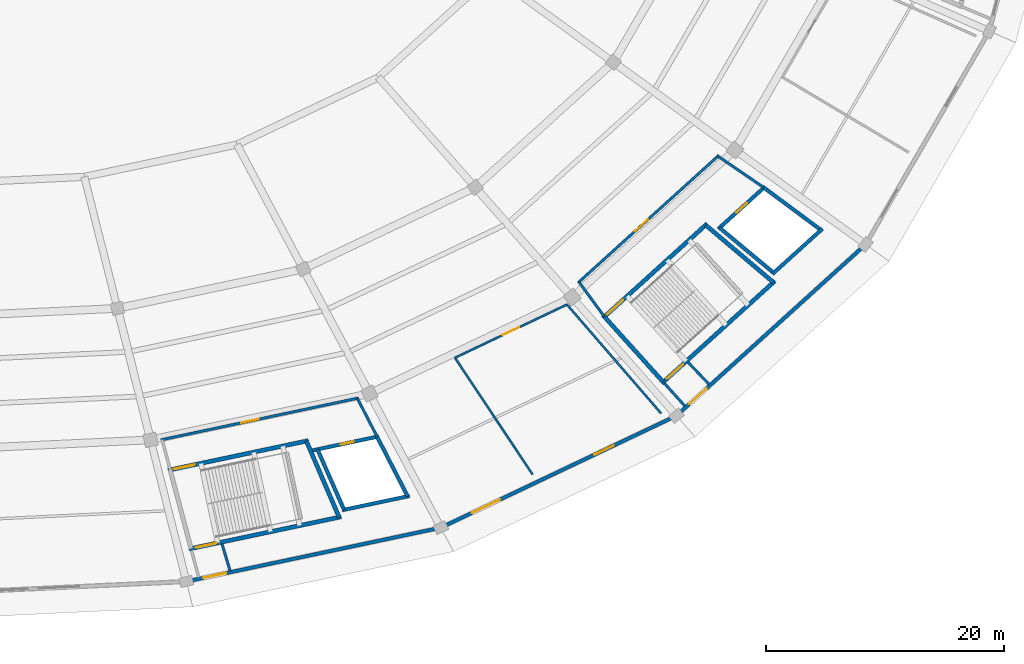
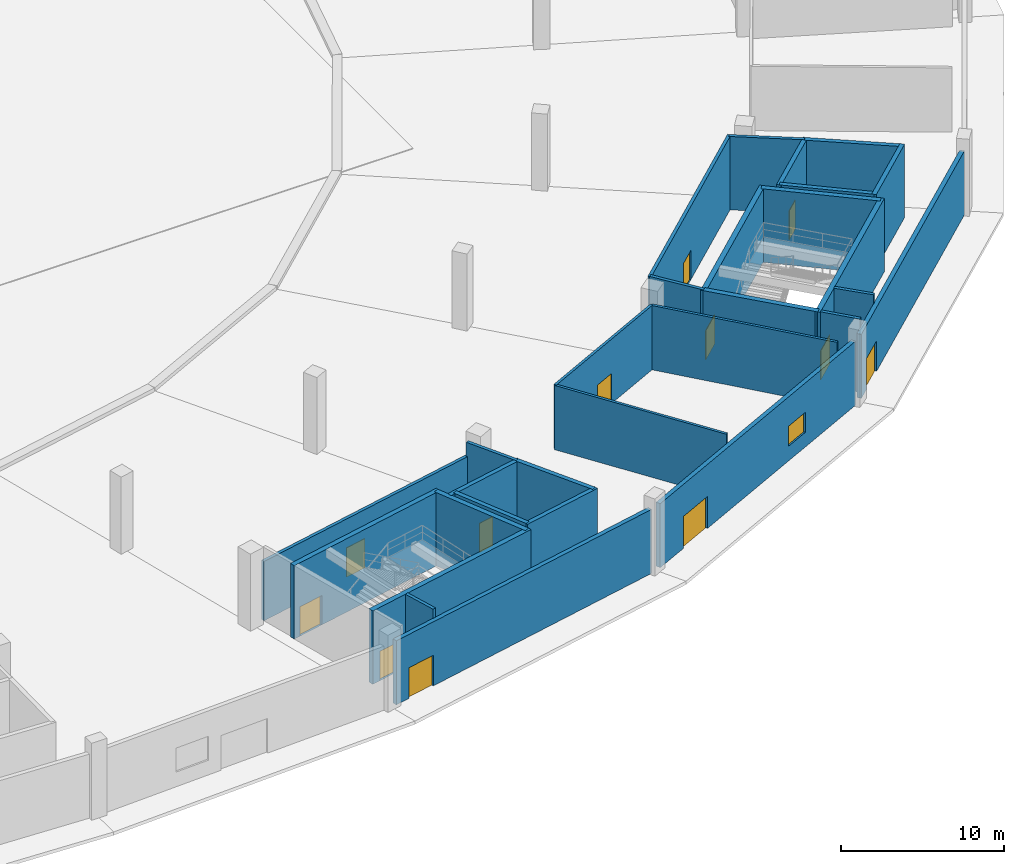
# One storey, part 13 of 48: 29 walls, 12 doors, 1 window, 13 openings.
"""IFC4 building model written with IfcOpenShell, lengths in metres."""

from ifc_helpers import new_model, si_unit, direction, frame, frame_2d, origin, place, context, subcontext, project, spatial, rectangle, extrude, material, layer, layer_set, type_object, element, fill, save


model = new_model("IFC4")

# Units and contexts
model_context = context("Model", 3, precision=1e-05, world=origin(), true_north=direction((0.0, 1.0)))
body_context = subcontext(model_context, "Body", "Model", "MODEL_VIEW")
ifc_project = project(units=[si_unit("LENGTHUNIT", "METRE"), si_unit("AREAUNIT", "SQUARE_METRE"), si_unit("VOLUMEUNIT", "CUBIC_METRE"), si_unit("PLANEANGLEUNIT", "RADIAN"), si_unit("MASSUNIT", "GRAM", prefix="KILO")], contexts=[model_context])

# Site, building, storey
site_placement = place(None, origin())
site = spatial("IfcSite", under=ifc_project, at=site_placement, CompositionType="ELEMENT")
building_placement = place(site_placement, origin())
building = spatial("IfcBuilding", under=site, at=building_placement, Name="Kazemori Nagisa Stadium", CompositionType="ELEMENT")
storey_placement = place(building_placement, origin())
storey = spatial("IfcBuildingStorey", under=building, at=storey_placement, Name="L00", CompositionType="ELEMENT", Elevation=0.0)

# Wall, opening, door
ifc_material_1 = material(Name="Concrete C40/50 (Fc42)", Category="concrete")
ifc_layer_1 = layer(ifc_material_1, 0.35009765625, Name="Concrete C40/50 (Fc42)", Category="concrete")
ifc_layer_set_1 = layer_set([ifc_layer_1], Name="Concrete C40/50 (Fc42)")
wall_type_1 = type_object("IfcWallType", Name="Wall_W-CORE-350", PredefinedType="SHEAR", material=ifc_layer_set_1)
wall_1_placement = place(storey_placement, frame((142.895751953125, 26.357177734375, 0.0), z_axis=(0.0, 0.0, 1.0), x_axis=(0.978345203961, 0.206979858648, 0.0)))
wall_1 = element("IfcWall", 1, at=wall_1_placement, inside=storey, type_object=wall_type_1, Name="Core stair front shear wall ST06 L00", PredefinedType="SHEAR", context=body_context, shape_type="SweptSolid", body=[
    extrude(rectangle(XDim=12.044189453125, YDim=0.35009765625, at=frame_2d((6.02197265625, 0.0))), origin(), (0.0, 0.0, 1.0), 5.5),
])
opening_1_placement = place(wall_1_placement, frame((0.47509765625, 0.0, 0.0)))
opening_1 = element("IfcOpeningElement", 2, at=opening_1_placement, cuts=wall_1, Name="Opening D-ST-1800", PredefinedType="OPENING", context=body_context, shape_type="SweptSolid", body=[
    extrude(rectangle(XDim=1.800048828125, YDim=2.199951171875, at=frame_2d((0.89990234375, 1.10009765625))), frame((0.0, 0.18505859375, 0.0), z_axis=(0.0, -1.0, 0.0), x_axis=(1.0, 0.0, 0.0)), (0.0, 0.0, 1.0), 0.3701171875),
])
ifc_material_2 = material(Name="Galvanised steel sheet", Category="steel")
door_type_1 = type_object("IfcDoorType", Name="Door_D-ST-1800", OperationType="NOTDEFINED", PredefinedType="DOOR", material=ifc_material_2)
door_1_placement = place(opening_1_placement, origin())
door_1 = element("IfcDoor", 3, at=door_1_placement, inside=storey, type_object=door_type_1, Name="Exit stair fire door ST06-L00", OperationType="SINGLE_SWING_LEFT", OverallHeight=2.199951171875, OverallWidth=1.800048828125, PredefinedType="DOOR", context=body_context, shape_type="SweptSolid", body=[
    extrude(rectangle(XDim=1.800048828125, YDim=2.199951171875, at=frame_2d((0.89990234375, 1.10009765625))), frame((0.0, 0.02490234375, 0.0), z_axis=(0.0, -1.0, 0.0), x_axis=(1.0, 0.0, 0.0)), (0.0, 0.0, 1.0), 0.050048828125),
])
fill(opening_1, door_1)

wall_2_placement = place(storey_placement, frame((144.650390625, 19.745849609375, 0.0), z_axis=(0.0, 0.0, 1.0), x_axis=(0.978345119536, 0.206980257705, 0.0)))
wall_2 = element("IfcWall", 4, at=wall_2_placement, inside=storey, type_object=wall_type_1, Name="Core stair rear shear wall ST06 L00", PredefinedType="SHEAR", context=body_context, shape_type="SweptSolid", body=[
    extrude(rectangle(XDim=13.06689453125, YDim=0.35009765625, at=frame_2d((6.533447265625, 0.0))), origin(), (0.0, 0.0, 1.0), 5.5),
])
opening_2_placement = place(wall_2_placement, frame((0.58203125, 0.0, 0.0)))
opening_2 = element("IfcOpeningElement", 5, at=opening_2_placement, cuts=wall_2, Name="Opening D-ST-1800", PredefinedType="OPENING", context=body_context, shape_type="SweptSolid", body=[
    extrude(rectangle(XDim=1.800048828125, YDim=2.199951171875, at=frame_2d((0.89990234375, 1.10009765625))), frame((0.0, 0.18505859375, 0.0), z_axis=(0.0, -1.0, 0.0), x_axis=(1.0, 0.0, 0.0)), (0.0, 0.0, 1.0), 0.3701171875),
])
door_2_placement = place(opening_2_placement, frame((1.800048828125, 0.0, 0.0), z_axis=(0.0, 0.0, 1.0), x_axis=(-1.0, 0.0, 0.0)))
door_2 = element("IfcDoor", 6, at=door_2_placement, inside=storey, type_object=door_type_1, Name="Exit stair discharge door ST06-L00", OperationType="DOUBLE_DOOR_SINGLE_SWING", OverallHeight=2.199951171875, OverallWidth=1.800048828125, PredefinedType="DOOR", context=body_context, shape_type="SweptSolid", body=[
    extrude(rectangle(XDim=1.800048828125, YDim=2.199951171875, at=frame_2d((0.89990234375, 1.10009765625))), frame((0.0, 0.02490234375, 0.0), z_axis=(0.0, -1.0, 0.0), x_axis=(1.0, 0.0, 0.0)), (0.0, 0.0, 1.0), 0.050048828125),
])
fill(opening_2, door_2)

# Wall
wall_3_placement = place(storey_placement, frame((154.5078125, 28.81396484375, 0.0), z_axis=(0.0, 0.0, 1.0), x_axis=(0.395453834155, -0.918485854574, 0.0)))
element("IfcWall", 7, at=wall_3_placement, inside=storey, type_object=wall_type_1, Name="Core stair right shear wall ST06 L00", PredefinedType="SHEAR", context=body_context, shape_type="SweptSolid", body=[
    extrude(rectangle(XDim=6.967529296875, YDim=0.35009765625, at=frame_2d((3.48388671875, 0.0))), origin(), (0.0, 0.0, 1.0), 5.5),
])

# Wall, opening, door
wall_4_placement = place(storey_placement, frame((179.416748046875, 39.139892578125, 0.0), z_axis=(0.0, 0.0, 1.0), x_axis=(0.741348929385, 0.671119784315, 0.0)))
wall_4 = element("IfcWall", 8, at=wall_4_placement, inside=storey, type_object=wall_type_1, Name="Core stair front shear wall ST04 L00", PredefinedType="SHEAR", context=body_context, shape_type="SweptSolid", body=[
    extrude(rectangle(XDim=11.826416015625, YDim=0.35009765625, at=frame_2d((5.9130859375, 0.0))), origin(), (0.0, 0.0, 1.0), 5.5),
])
opening_3_placement = place(wall_4_placement, frame((0.47509765625, 0.0, 0.0)))
opening_3 = element("IfcOpeningElement", 9, at=opening_3_placement, cuts=wall_4, Name="Opening D-ST-1800", PredefinedType="OPENING", context=body_context, shape_type="SweptSolid", body=[
    extrude(rectangle(XDim=1.800048828125, YDim=2.199951171875, at=frame_2d((0.89990234375, 1.10009765625))), frame((0.0, 0.18505859375, 0.0), z_axis=(0.0, -1.0, 0.0), x_axis=(1.0, 0.0, 0.0)), (0.0, 0.0, 1.0), 0.3701171875),
])
door_3_placement = place(opening_3_placement, origin())
door_3 = element("IfcDoor", 10, at=door_3_placement, inside=storey, type_object=door_type_1, Name="Exit stair fire door ST04-L00", OperationType="SINGLE_SWING_LEFT", OverallHeight=2.199951171875, OverallWidth=1.800048828125, PredefinedType="DOOR", context=body_context, shape_type="SweptSolid", body=[
    extrude(rectangle(XDim=1.800048828125, YDim=2.199951171875, at=frame_2d((0.89990234375, 1.10009765625))), frame((0.0, 0.02490234375, 0.0), z_axis=(0.0, -1.0, 0.0), x_axis=(1.0, 0.0, 0.0)), (0.0, 0.0, 1.0), 0.050048828125),
])
fill(opening_3, door_3)

wall_5_placement = place(storey_placement, frame((184.361328125, 33.6533203125, 0.0), z_axis=(0.0, 0.0, 1.0), x_axis=(0.741351373721, 0.671117084183, 0.0)))
wall_5 = element("IfcWall", 11, at=wall_5_placement, inside=storey, type_object=wall_type_1, Name="Core stair rear shear wall ST04 L00", PredefinedType="SHEAR", context=body_context, shape_type="SweptSolid", body=[
    extrude(rectangle(XDim=12.830322265625, YDim=0.35009765625, at=frame_2d((6.4150390625, 0.0))), origin(), (0.0, 0.0, 1.0), 5.5),
])
opening_4_placement = place(wall_5_placement, frame((0.60205078125, 0.0, 0.0)))
opening_4 = element("IfcOpeningElement", 12, at=opening_4_placement, cuts=wall_5, Name="Opening D-ST-1800", PredefinedType="OPENING", context=body_context, shape_type="SweptSolid", body=[
    extrude(rectangle(XDim=1.800048828125, YDim=2.199951171875, at=frame_2d((0.89990234375, 1.10009765625))), frame((0.0, 0.18505859375, 0.0), z_axis=(0.0, -1.0, 0.0), x_axis=(1.0, 0.0, 0.0)), (0.0, 0.0, 1.0), 0.3701171875),
])
door_4_placement = place(opening_4_placement, frame((1.800048828125, 0.0, 0.0), z_axis=(0.0, 0.0, 1.0), x_axis=(-1.0, 0.0, 0.0)))
door_4 = element("IfcDoor", 13, at=door_4_placement, inside=storey, type_object=door_type_1, Name="Exit stair discharge door ST04-L00", OperationType="DOUBLE_DOOR_SINGLE_SWING", OverallHeight=2.199951171875, OverallWidth=1.800048828125, PredefinedType="DOOR", context=body_context, shape_type="SweptSolid", body=[
    extrude(rectangle(XDim=1.800048828125, YDim=2.199951171875, at=frame_2d((0.89990234375, 1.10009765625))), frame((0.0, 0.02490234375, 0.0), z_axis=(0.0, -1.0, 0.0), x_axis=(1.0, 0.0, 0.0)), (0.0, 0.0, 1.0), 0.050048828125),
])
fill(opening_4, door_4)

# Walls
wall_6_placement = place(storey_placement, frame((179.54638671875, 39.25732421875, 0.0), z_axis=(0.0, 0.0, 1.0), x_axis=(0.669463145673, -0.742845270958, 0.0)))
element("IfcWall", 14, at=wall_6_placement, inside=storey, type_object=wall_type_1, Name="Core stair left shear wall ST04 L00", PredefinedType="SHEAR", context=body_context, shape_type="SweptSolid", body=[
    extrude(rectangle(XDim=7.385986328125, YDim=0.35009765625, at=frame_2d((3.69287109375, 0.0))), origin(), (0.0, 0.0, 1.0), 5.5),
])
wall_7_placement = place(storey_placement, frame((188.0546875, 46.95947265625, 0.0), z_axis=(0.0, 0.0, 1.0), x_axis=(0.763422324031, -0.64589964791, 0.0)))
element("IfcWall", 15, at=wall_7_placement, inside=storey, type_object=wall_type_1, Name="Core stair right shear wall ST04 L00", PredefinedType="SHEAR", context=body_context, shape_type="SweptSolid", body=[
    extrude(rectangle(XDim=7.45166015625, YDim=0.35009765625, at=frame_2d((3.725830078125, 0.0))), origin(), (0.0, 0.0, 1.0), 5.5),
])

# Wall, opening, door
ifc_material_3 = material(Name="Concrete C40/50 (Fc42) precast", Category="concrete")
ifc_layer_2 = layer(ifc_material_3, 0.300048828125, Name="Concrete C40/50 (Fc42) precast", Category="concrete")
ifc_layer_set_2 = layer_set([ifc_layer_2], Name="Concrete C40/50 (Fc42) precast")
wall_type_2 = type_object("IfcWallType", Name="Wall_W-EXT-300", PredefinedType="SOLIDWALL", material=ifc_layer_set_2)
wall_8_placement = place(storey_placement, frame((144.809326171875, 17.093994140625, 0.0), z_axis=(0.0, 0.0, 1.0), x_axis=(0.978345100851, 0.206980346028, 0.0)))
wall_8 = element("IfcWall", 16, at=wall_8_placement, inside=storey, type_object=wall_type_2, Name="Core exterior wall L00-23", PredefinedType="SOLIDWALL", context=body_context, shape_type="SweptSolid", body=[
    extrude(rectangle(XDim=21.070068359375, YDim=0.300048828125, at=frame_2d((10.53515625, 0.0))), origin(), (0.0, 0.0, 1.0), 4.800048828125),
])
opening_5_placement = place(wall_8_placement, frame((1.050048828125, 0.0, 0.0)))
opening_5 = element("IfcOpeningElement", 17, at=opening_5_placement, cuts=wall_8, Name="Opening D-SD-2000", PredefinedType="OPENING", context=body_context, shape_type="SweptSolid", body=[
    extrude(rectangle(XDim=2.0, YDim=2.300048828125, at=frame_2d((1.0, 1.14990234375))), frame((0.0, 0.159912109375, 0.0), z_axis=(0.0, -1.0, 0.0), x_axis=(1.0, 0.0, 0.0)), (0.0, 0.0, 1.0), 0.320068359375),
])
door_type_2 = type_object("IfcDoorType", Name="Door_D-SD-2000", OperationType="NOTDEFINED", PredefinedType="DOOR", material=ifc_material_2)
door_5_placement = place(opening_5_placement, frame((2.0, 0.0, 0.0), z_axis=(0.0, 0.0, 1.0), x_axis=(-1.0, 0.0, 0.0)))
door_5 = element("IfcDoor", 18, at=door_5_placement, inside=storey, type_object=door_type_2, Name="Pedestrian stair exit SD6", OperationType="DOUBLE_DOOR_SINGLE_SWING", OverallHeight=2.300048828125, OverallWidth=2.0, PredefinedType="DOOR", context=body_context, shape_type="SweptSolid", body=[
    extrude(rectangle(XDim=2.0, YDim=2.300048828125, at=frame_2d((1.0, 1.14990234375))), frame((0.0, 0.02490234375, 0.0), z_axis=(0.0, -1.0, 0.0), x_axis=(1.0, 0.0, 0.0)), (0.0, 0.0, 1.0), 0.050048828125),
])
fill(opening_5, door_5)

# Wall, openings, door, window
wall_9_placement = place(storey_placement, frame((166.156982421875, 21.703125, 0.0), z_axis=(0.0, 0.0, 1.0), x_axis=(0.903214032263, 0.429190414528, 0.0)))
wall_9 = element("IfcWall", 19, at=wall_9_placement, inside=storey, type_object=wall_type_2, Name="Ground exterior entrance wall L00-24", PredefinedType="SOLIDWALL", context=body_context, shape_type="SweptSolid", body=[
    extrude(rectangle(XDim=21.134033203125, YDim=0.300048828125, at=frame_2d((10.56689453125, 0.0))), origin(), (0.0, 0.0, 1.0), 4.800048828125),
])
opening_6_placement = place(wall_9_placement, frame((2.50390625, 0.0, 0.0)))
opening_6 = element("IfcOpeningElement", 20, at=opening_6_placement, cuts=wall_9, Name="Opening D-GATE-2600", PredefinedType="OPENING", context=body_context, shape_type="SweptSolid", body=[
    extrude(rectangle(XDim=2.60009765625, YDim=2.39990234375, at=frame_2d((1.300048828125, 1.199951171875))), frame((0.0, 0.159912109375, 0.0), z_axis=(0.0, -1.0, 0.0), x_axis=(1.0, 0.0, 0.0)), (0.0, 0.0, 1.0), 0.320068359375),
])
opening_7_placement = place(wall_9_placement, frame((13.89404296875, 0.0, 1.10009765625)))
opening_7 = element("IfcOpeningElement", 21, at=opening_7_placement, cuts=wall_9, Name="Opening WIN-L00-1800", PredefinedType="OPENING", context=body_context, shape_type="SweptSolid", body=[
    extrude(rectangle(XDim=1.800048828125, YDim=1.5, at=frame_2d((0.89990234375, 0.75))), frame((0.0, 0.159912109375, 0.0), z_axis=(0.0, -1.0, 0.0), x_axis=(1.0, 0.0, 0.0)), (0.0, 0.0, 1.0), 0.320068359375),
])
ifc_material_4 = material(Name="Anodised aluminium 6063-T5", Category="aluminium")
door_type_3 = type_object("IfcDoorType", Name="Door_D-GATE-2600", OperationType="NOTDEFINED", PredefinedType="DOOR", material=ifc_material_4)
door_6_placement = place(opening_6_placement, frame((2.60009765625, 0.0, 0.0), z_axis=(0.0, 0.0, 1.0), x_axis=(-1.0, 0.0, 0.0)))
door_6 = element("IfcDoor", 22, at=door_6_placement, inside=storey, type_object=door_type_3, Name="Pedestrian exit gate G7", OperationType="DOUBLE_DOOR_SINGLE_SWING", OverallHeight=2.39990234375, OverallWidth=2.60009765625, PredefinedType="DOOR", context=body_context, shape_type="SweptSolid", body=[
    extrude(rectangle(XDim=2.60009765625, YDim=2.39990234375, at=frame_2d((1.300048828125, 1.199951171875))), frame((0.0, 0.02490234375, 0.0), z_axis=(0.0, -1.0, 0.0), x_axis=(1.0, 0.0, 0.0)), (0.0, 0.0, 1.0), 0.050048828125),
])
fill(opening_6, door_6)
ifc_material_5 = material(Name="Low-e laminated double glazing", Category="glass")
window_type = type_object("IfcWindowType", Name="Window_WIN-L00-1800", PartitioningType="SINGLE_PANEL", PredefinedType="WINDOW", material=ifc_material_5)
window_placement = place(opening_7_placement, origin())
window = element("IfcWindow", 23, at=window_placement, inside=storey, type_object=window_type, Name="Ground room window L00-24", OverallHeight=1.5, OverallWidth=1.800048828125, PartitioningType="SINGLE_PANEL", PredefinedType="WINDOW", context=body_context, shape_type="SweptSolid", body=[
    extrude(rectangle(XDim=1.800048828125, YDim=1.5, at=frame_2d((0.89990234375, 0.75))), frame((0.0, 0.030029296875, 0.0), z_axis=(0.0, -1.0, 0.0), x_axis=(1.0, 0.0, 0.0)), (0.0, 0.0, 1.0), 0.06005859375),
])
fill(opening_7, window)

# Wall, opening, door
wall_10_placement = place(storey_placement, frame((185.88720703125, 31.202880859375, 0.0), z_axis=(0.0, 0.0, 1.0), x_axis=(0.741354093053, 0.671114080253, 0.0)))
wall_10 = element("IfcWall", 24, at=wall_10_placement, inside=storey, type_object=wall_type_2, Name="Ground exterior entrance wall L00-25", PredefinedType="SOLIDWALL", context=body_context, shape_type="SweptSolid", body=[
    extrude(rectangle(XDim=20.66357421875, YDim=0.300048828125, at=frame_2d((10.331787109375, 0.0))), origin(), (0.0, 0.0, 1.0), 4.800048828125),
])
opening_8_placement = place(wall_10_placement, frame((1.050048828125, 0.0, 0.0)))
opening_8 = element("IfcOpeningElement", 25, at=opening_8_placement, cuts=wall_10, Name="Opening D-SD-2000", PredefinedType="OPENING", context=body_context, shape_type="SweptSolid", body=[
    extrude(rectangle(XDim=2.0, YDim=2.300048828125, at=frame_2d((1.0, 1.14990234375))), frame((0.0, 0.159912109375, 0.0), z_axis=(0.0, -1.0, 0.0), x_axis=(1.0, 0.0, 0.0)), (0.0, 0.0, 1.0), 0.320068359375),
])
door_7_placement = place(opening_8_placement, frame((2.0, 0.0, 0.0), z_axis=(0.0, 0.0, 1.0), x_axis=(-1.0, 0.0, 0.0)))
door_7 = element("IfcDoor", 26, at=door_7_placement, inside=storey, type_object=door_type_2, Name="Pedestrian stair exit SD4", OperationType="DOUBLE_DOOR_SINGLE_SWING", OverallHeight=2.300048828125, OverallWidth=2.0, PredefinedType="DOOR", context=body_context, shape_type="SweptSolid", body=[
    extrude(rectangle(XDim=2.0, YDim=2.300048828125, at=frame_2d((1.0, 1.14990234375))), frame((0.0, 0.02490234375, 0.0), z_axis=(0.0, -1.0, 0.0), x_axis=(1.0, 0.0, 0.0)), (0.0, 0.0, 1.0), 0.050048828125),
])
fill(opening_8, door_7)

# Wall
ifc_material_6 = material(Name="Concrete C36/45 (Fc36)", Category="concrete")
ifc_layer_3 = layer(ifc_material_6, 0.219970703125, Name="Concrete C36/45 (Fc36)", Category="concrete")
ifc_layer_set_3 = layer_set([ifc_layer_3], Name="Concrete C36/45 (Fc36)")
wall_type_3 = type_object("IfcWallType", Name="Wall_W-LOBBY-220", PredefinedType="SOLIDWALL", material=ifc_layer_set_3)
wall_11_placement = place(storey_placement, frame((147.423583984375, 20.1748046875, 0.0), z_axis=(0.0, 0.0, 1.0), x_axis=(0.285947304877, -0.958245343758, 0.0)))
element("IfcWall", 27, at=wall_11_placement, inside=storey, type_object=wall_type_3, Name="Exit passage right fire wall ST06 L00", PredefinedType="SOLIDWALL", context=body_context, shape_type="SweptSolid", body=[
    extrude(rectangle(XDim=2.351318359375, YDim=0.219970703125, at=frame_2d((1.17578125, 0.0))), origin(), (0.0, 0.0, 1.0), 5.5),
])

# Wall, opening, door
wall_12_placement = place(storey_placement, frame((142.284423828125, 28.91357421875, 0.0), z_axis=(0.0, 0.0, 1.0), x_axis=(0.97834522483, 0.206979760008, 0.0)))
wall_12 = element("IfcWall", 28, at=wall_12_placement, inside=storey, type_object=wall_type_3, Name="Core lobby fire wall ST06 L00", PredefinedType="SOLIDWALL", context=body_context, shape_type="SweptSolid", body=[
    extrude(rectangle(XDim=16.98291015625, YDim=0.219970703125, at=frame_2d((8.491455078125, 0.0))), origin(), (0.0, 0.0, 1.0), 4.447998046875),
])
opening_9_placement = place(wall_12_placement, frame((6.903076171875, 0.0, 0.0)))
opening_9 = element("IfcOpeningElement", 29, at=opening_9_placement, cuts=wall_12, Name="Opening D-FFL-1500", PredefinedType="OPENING", context=body_context, shape_type="SweptSolid", body=[
    extrude(rectangle(XDim=1.5, YDim=2.199951171875, at=frame_2d((0.75, 1.10009765625))), frame((0.0, 0.119873046875, 0.0), z_axis=(0.0, -1.0, 0.0), x_axis=(1.0, 0.0, 0.0)), (0.0, 0.0, 1.0), 0.239990234375),
])
door_type_4 = type_object("IfcDoorType", Name="Door_D-FFL-1500", OperationType="NOTDEFINED", PredefinedType="DOOR", material=ifc_material_2)
door_8_placement = place(opening_9_placement, origin())
door_8 = element("IfcDoor", 30, at=door_8_placement, inside=storey, type_object=door_type_4, Name="Protected lobby fire door ST06-L00", OperationType="DOUBLE_DOOR_SINGLE_SWING", OverallHeight=2.199951171875, OverallWidth=1.5, PredefinedType="DOOR", context=body_context, shape_type="SweptSolid", body=[
    extrude(rectangle(XDim=1.5, YDim=2.199951171875, at=frame_2d((0.75, 1.10009765625))), frame((0.0, 0.02490234375, 0.0), z_axis=(0.0, -1.0, 0.0), x_axis=(1.0, 0.0, 0.0)), (0.0, 0.0, 1.0), 0.050048828125),
])
fill(opening_9, door_8)

# Walls
wall_13_placement = place(storey_placement, frame((158.7919921875, 32.406005859375, 0.0), z_axis=(0.0, 0.0, 1.0), x_axis=(0.457349531643, -0.889287021105, 0.0)))
element("IfcWall", 31, at=wall_13_placement, inside=storey, type_object=wall_type_3, Name="Core lobby right wall ST06 L00", PredefinedType="SOLIDWALL", context=body_context, shape_type="SweptSolid", body=[
    extrude(rectangle(XDim=3.631591796875, YDim=0.219970703125, at=frame_2d((1.81591796875, 0.0))), origin(), (0.0, 0.0, 1.0), 5.5),
])
wall_14_placement = place(storey_placement, frame((184.5947265625, 33.655517578125, 0.0), z_axis=(0.0, 0.0, 1.0), x_axis=(0.669523961342, -0.742790458467, 0.0)))
element("IfcWall", 32, at=wall_14_placement, inside=storey, type_object=wall_type_3, Name="Exit passage left fire wall ST04 L00", PredefinedType="SOLIDWALL", context=body_context, shape_type="SweptSolid", body=[
    extrude(rectangle(XDim=2.555908203125, YDim=0.219970703125, at=frame_2d((1.27783203125, 0.0))), origin(), (0.0, 0.0, 1.0), 5.5),
])
wall_15_placement = place(storey_placement, frame((186.565185546875, 35.439453125, 0.0), z_axis=(0.0, 0.0, 1.0), x_axis=(0.690686933178, -0.7231538981, 0.0)))
element("IfcWall", 33, at=wall_15_placement, inside=storey, type_object=wall_type_3, Name="Exit passage right fire wall ST04 L00", PredefinedType="SOLIDWALL", context=body_context, shape_type="SweptSolid", body=[
    extrude(rectangle(XDim=2.556640625, YDim=0.219970703125, at=frame_2d((1.2783203125, 0.0))), origin(), (0.0, 0.0, 1.0), 5.5),
])

# Wall, opening, door
wall_16_placement = place(storey_placement, frame((177.327392578125, 42.10205078125, 0.0), z_axis=(0.0, 0.0, 1.0), x_axis=(0.741351035574, 0.671117457717, 0.0)))
wall_16 = element("IfcWall", 34, at=wall_16_placement, inside=storey, type_object=wall_type_3, Name="Core lobby fire wall ST04 L00", PredefinedType="SOLIDWALL", context=body_context, shape_type="SweptSolid", body=[
    extrude(rectangle(XDim=15.96923828125, YDim=0.219970703125, at=frame_2d((7.984619140625, 0.0))), origin(), (0.0, 0.0, 1.0), 5.5),
])
opening_10_placement = place(wall_16_placement, frame((6.447021484375, 0.0, 0.0)))
opening_10 = element("IfcOpeningElement", 35, at=opening_10_placement, cuts=wall_16, Name="Opening D-FFL-1500", PredefinedType="OPENING", context=body_context, shape_type="SweptSolid", body=[
    extrude(rectangle(XDim=1.5, YDim=2.199951171875, at=frame_2d((0.75, 1.10009765625))), frame((0.0, 0.119873046875, 0.0), z_axis=(0.0, -1.0, 0.0), x_axis=(1.0, 0.0, 0.0)), (0.0, 0.0, 1.0), 0.239990234375),
])
door_9_placement = place(opening_10_placement, origin())
door_9 = element("IfcDoor", 36, at=door_9_placement, inside=storey, type_object=door_type_4, Name="Protected lobby fire door ST04-L00", OperationType="DOUBLE_DOOR_SINGLE_SWING", OverallHeight=2.199951171875, OverallWidth=1.5, PredefinedType="DOOR", context=body_context, shape_type="SweptSolid", body=[
    extrude(rectangle(XDim=1.5, YDim=2.199951171875, at=frame_2d((0.75, 1.10009765625))), frame((0.0, 0.02490234375, 0.0), z_axis=(0.0, -1.0, 0.0), x_axis=(1.0, 0.0, 0.0)), (0.0, 0.0, 1.0), 0.050048828125),
])
fill(opening_10, door_9)

# Walls
wall_17_placement = place(storey_placement, frame((177.408935546875, 42.176025390625, 0.0), z_axis=(0.0, 0.0, 1.0), x_axis=(0.590836915359, -0.806791013491, 0.0)))
element("IfcWall", 37, at=wall_17_placement, inside=storey, type_object=wall_type_3, Name="Core lobby left wall ST04 L00", PredefinedType="SOLIDWALL", context=body_context, shape_type="SweptSolid", body=[
    extrude(rectangle(XDim=3.61767578125, YDim=0.219970703125, at=frame_2d((1.808837890625, 0.0))), origin(), (0.0, 0.0, 1.0), 5.5),
])
wall_18_placement = place(storey_placement, frame((189.084716796875, 52.74560546875, 0.0), z_axis=(0.0, 0.0, 1.0), x_axis=(0.825385410642, -0.564569680287, 0.0)))
element("IfcWall", 38, at=wall_18_placement, inside=storey, type_object=wall_type_3, Name="Core lobby right wall ST04 L00", PredefinedType="SOLIDWALL", context=body_context, shape_type="SweptSolid", body=[
    extrude(rectangle(XDim=4.673828125, YDim=0.219970703125, at=frame_2d((2.3369140625, 0.0))), origin(), (0.0, 0.0, 1.0), 5.5),
])

# Wall, opening, door
ifc_material_7 = material(Name="Gypsum plasterboard", Category="gypsum")
ifc_layer_4 = layer(ifc_material_7, 0.179931640625, Name="Gypsum plasterboard", Category="gypsum")
ifc_layer_set_4 = layer_set([ifc_layer_4], Name="Gypsum plasterboard")
wall_type_4 = type_object("IfcWallType", Name="Wall_W-PART-180", PredefinedType="PARTITIONING", material=ifc_layer_set_4)
wall_19_placement = place(storey_placement, frame((166.994873046875, 35.810546875, 0.0), z_axis=(0.0, 0.0, 1.0), x_axis=(0.903212529205, 0.42919357764, 0.0)))
wall_19 = element("IfcWall", 39, at=wall_19_placement, inside=storey, type_object=wall_type_4, Name="Mixed Zone L00-24 corridor partition L00-B24", PredefinedType="PARTITIONING", context=body_context, shape_type="SweptSolid", body=[
    extrude(rectangle(XDim=10.41357421875, YDim=0.179931640625, at=frame_2d((5.206787109375, 0.0))), origin(), (0.0, 0.0, 1.0), 4.820068359375),
])
opening_11_placement = place(wall_19_placement, frame((4.427001953125, 0.0, 0.0)))
opening_11 = element("IfcOpeningElement", 40, at=opening_11_placement, cuts=wall_19, Name="Opening D-TCK-1560", PredefinedType="OPENING", context=body_context, shape_type="SweptSolid", body=[
    extrude(rectangle(XDim=1.56005859375, YDim=2.25, at=frame_2d((0.780029296875, 1.125))), frame((0.0, 0.099853515625, 0.0), z_axis=(0.0, -1.0, 0.0), x_axis=(1.0, 0.0, 0.0)), (0.0, 0.0, 1.0), 0.199951171875),
])
door_type_5 = type_object("IfcDoorType", Name="Door_D-TCK-1560", OperationType="NOTDEFINED", PredefinedType="DOOR", material=ifc_material_2)
door_10_placement = place(opening_11_placement, origin())
door_10 = element("IfcDoor", 41, at=door_10_placement, inside=storey, type_object=door_type_5, Name="Mixed Zone L00-24 entrance door D-TCK-1560", OperationType="DOUBLE_DOOR_SINGLE_SWING", OverallHeight=2.25, OverallWidth=1.56005859375, PredefinedType="DOOR", context=body_context, shape_type="SweptSolid", body=[
    extrude(rectangle(XDim=1.56005859375, YDim=2.25, at=frame_2d((0.780029296875, 1.125))), frame((0.0, 0.02490234375, 0.0), z_axis=(0.0, -1.0, 0.0), x_axis=(1.0, 0.0, 0.0)), (0.0, 0.0, 1.0), 0.050048828125),
])
fill(opening_11, door_10)

# Walls
wall_20_placement = place(storey_placement, frame((166.994873046875, 35.810546875, 0.0), z_axis=(0.0, 0.0, 1.0), x_axis=(0.553565629172, -0.832805556057, 0.0)))
element("IfcWall", 42, at=wall_20_placement, inside=storey, type_object=wall_type_4, Name="Room radial partition L00-B24-L", PredefinedType="PARTITIONING", context=body_context, shape_type="SweptSolid", body=[
    extrude(rectangle(XDim=11.774169921875, YDim=0.179931640625, at=frame_2d((5.88720703125, 0.0))), origin(), (0.0, 0.0, 1.0), 4.820068359375),
])
wall_21_placement = place(storey_placement, frame((176.400634765625, 40.280029296875, 0.0), z_axis=(0.0, 0.0, 1.0), x_axis=(0.654293035882, -0.756241114458, 0.0)))
element("IfcWall", 43, at=wall_21_placement, inside=storey, type_object=wall_type_4, Name="Room radial partition L00-B24-R", PredefinedType="PARTITIONING", context=body_context, shape_type="SweptSolid", body=[
    extrude(rectangle(XDim=12.091064453125, YDim=0.179931640625, at=frame_2d((6.04541015625, 0.0))), origin(), (0.0, 0.0, 1.0), 4.820068359375),
])

# Wall, opening, door
ifc_layer_5 = layer(ifc_material_1, 0.300048828125, Name="Concrete C40/50 (Fc42)", Category="concrete")
ifc_layer_set_5 = layer_set([ifc_layer_5], Name="Concrete C40/50 (Fc42)")
wall_type_5 = type_object("IfcWallType", Name="Wall_W-SHAFT-300", PredefinedType="SHEAR", material=ifc_layer_set_5)
wall_22_placement = place(storey_placement, frame((154.999267578125, 28.022705078125, 0.0), z_axis=(0.0, 0.0, 1.0), x_axis=(0.978345218992, 0.206979787601, 0.0)))
wall_22 = element("IfcWall", 44, at=wall_22_placement, inside=storey, type_object=wall_type_5, Name="Lift shaft front wall LP2 L00", PredefinedType="SHEAR", context=body_context, shape_type="SweptSolid", body=[
    extrude(rectangle(XDim=5.724365234375, YDim=0.300048828125, at=frame_2d((2.8623046875, 0.0))), origin(), (0.0, 0.0, 1.0), 5.5),
])
opening_12_placement = place(wall_22_placement, frame((2.4619140625, 0.0, 0.0)))
opening_12 = element("IfcOpeningElement", 45, at=opening_12_placement, cuts=wall_22, Name="Opening LD-PAX", PredefinedType="OPENING", context=body_context, shape_type="SweptSolid", body=[
    extrude(rectangle(XDim=1.10009765625, YDim=2.199951171875, at=frame_2d((0.550048828125, 1.10009765625))), frame((0.0, 0.159912109375, 0.0), z_axis=(0.0, -1.0, 0.0), x_axis=(1.0, 0.0, 0.0)), (0.0, 0.0, 1.0), 0.320068359375),
])
ifc_material_8 = material(Name="Stainless steel SUS304", Category="steel")
door_type_6 = type_object("IfcDoorType", Name="Door_LD-PAX", OperationType="SLIDING_TO_RIGHT", PredefinedType="DOOR", material=ifc_material_8)
door_11_placement = place(opening_12_placement, origin())
door_11 = element("IfcDoor", 46, at=door_11_placement, inside=storey, type_object=door_type_6, Name="Lift landing door LP2-L00", OperationType="SLIDING_TO_RIGHT", OverallHeight=2.199951171875, OverallWidth=1.10009765625, PredefinedType="DOOR", context=body_context, shape_type="SweptSolid", body=[
    extrude(rectangle(XDim=1.10009765625, YDim=2.199951171875, at=frame_2d((0.550048828125, 1.10009765625))), frame((0.0, 0.02490234375, 0.0), z_axis=(0.0, -1.0, 0.0), x_axis=(1.0, 0.0, 0.0)), (0.0, 0.0, 1.0), 0.050048828125),
])
fill(opening_12, door_11)

# Walls
wall_23_placement = place(storey_placement, frame((157.522705078125, 23.00634765625, 0.0), z_axis=(0.0, 0.0, 1.0), x_axis=(0.978347069901, 0.206971038591, 0.0)))
element("IfcWall", 47, at=wall_23_placement, inside=storey, type_object=wall_type_5, Name="Lift shaft B wall LP2 L00", PredefinedType="SHEAR", context=body_context, shape_type="SweptSolid", body=[
    extrude(rectangle(XDim=5.7763671875, YDim=0.300048828125, at=frame_2d((2.88818359375, 0.0))), origin(), (0.0, 0.0, 1.0), 5.5),
])
wall_24_placement = place(storey_placement, frame((155.439697265625, 28.115966796875, 0.0), z_axis=(0.0, 0.0, 1.0), x_axis=(0.402005363577, -0.915637312289, 0.0)))
element("IfcWall", 48, at=wall_24_placement, inside=storey, type_object=wall_type_5, Name="Lift shaft L wall LP2 L00", PredefinedType="SHEAR", context=body_context, shape_type="SweptSolid", body=[
    extrude(rectangle(XDim=5.546630859375, YDim=0.300048828125, at=frame_2d((2.7734375, 0.0))), origin(), (0.0, 0.0, 1.0), 5.5),
])
wall_25_placement = place(storey_placement, frame((160.452880859375, 29.176513671875, 0.0), z_axis=(0.0, 0.0, 1.0), x_axis=(0.457368592987, -0.889277217829, 0.0)))
element("IfcWall", 49, at=wall_25_placement, inside=storey, type_object=wall_type_5, Name="Lift shaft R wall LP2 L00", PredefinedType="SHEAR", context=body_context, shape_type="SweptSolid", body=[
    extrude(rectangle(XDim=5.62890625, YDim=0.300048828125, at=frame_2d((2.814453125, 0.0))), origin(), (0.0, 0.0, 1.0), 5.5),
])

# Wall, opening, door
wall_26_placement = place(storey_placement, frame((189.10302734375, 46.631103515625, 0.0), z_axis=(0.0, 0.0, 1.0), x_axis=(0.741350155641, 0.671118429736, 0.0)))
wall_26 = element("IfcWall", 50, at=wall_26_placement, inside=storey, type_object=wall_type_5, Name="Lift shaft front wall FL4 L00", PredefinedType="SHEAR", context=body_context, shape_type="SweptSolid", body=[
    extrude(rectangle(XDim=5.3291015625, YDim=0.300048828125, at=frame_2d((2.66455078125, 0.0))), origin(), (0.0, 0.0, 1.0), 5.5),
])
opening_13_placement = place(wall_26_placement, frame((2.06494140625, 0.0, 0.0)))
opening_13 = element("IfcOpeningElement", 51, at=opening_13_placement, cuts=wall_26, Name="Opening LD-FF", PredefinedType="OPENING", context=body_context, shape_type="SweptSolid", body=[
    extrude(rectangle(XDim=1.199951171875, YDim=2.199951171875, at=frame_2d((0.60009765625, 1.10009765625))), frame((0.0, 0.159912109375, 0.0), z_axis=(0.0, -1.0, 0.0), x_axis=(1.0, 0.0, 0.0)), (0.0, 0.0, 1.0), 0.320068359375),
])
door_type_7 = type_object("IfcDoorType", Name="Door_LD-FF", OperationType="SLIDING_TO_LEFT", PredefinedType="DOOR", material=ifc_material_8)
door_12_placement = place(opening_13_placement, origin())
door_12 = element("IfcDoor", 52, at=door_12_placement, inside=storey, type_object=door_type_7, Name="Lift landing door FL4-L00", OperationType="SLIDING_TO_LEFT", OverallHeight=2.199951171875, OverallWidth=1.199951171875, PredefinedType="DOOR", context=body_context, shape_type="SweptSolid", body=[
    extrude(rectangle(XDim=1.199951171875, YDim=2.199951171875, at=frame_2d((0.60009765625, 1.10009765625))), frame((0.0, 0.02490234375, 0.0), z_axis=(0.0, -1.0, 0.0), x_axis=(1.0, 0.0, 0.0)), (0.0, 0.0, 1.0), 0.050048828125),
])
fill(opening_13, door_12)

# Walls
wall_27_placement = place(storey_placement, frame((193.654296875, 42.832275390625, 0.0), z_axis=(0.0, 0.0, 1.0), x_axis=(0.74134208775, 0.671127341815, 0.0)))
element("IfcWall", 53, at=wall_27_placement, inside=storey, type_object=wall_type_5, Name="Lift shaft B wall FL4 L00", PredefinedType="SHEAR", context=body_context, shape_type="SweptSolid", body=[
    extrude(rectangle(XDim=5.674560546875, YDim=0.300048828125, at=frame_2d((2.83740234375, 0.0))), origin(), (0.0, 0.0, 1.0), 5.5),
])
wall_28_placement = place(storey_placement, frame((189.214111328125, 46.73193359375, 0.0), z_axis=(0.0, 0.0, 1.0), x_axis=(0.767711354146, -0.640795815151, 0.0)))
element("IfcWall", 54, at=wall_28_placement, inside=storey, type_object=wall_type_5, Name="Lift shaft L wall FL4 L00", PredefinedType="SHEAR", context=body_context, shape_type="SweptSolid", body=[
    extrude(rectangle(XDim=5.9287109375, YDim=0.300048828125, at=frame_2d((2.96435546875, 0.0))), origin(), (0.0, 0.0, 1.0), 5.5),
])
wall_29_placement = place(storey_placement, frame((192.9423828125, 50.10693359375, 0.0), z_axis=(0.0, 0.0, 1.0), x_axis=(0.803101805449, -0.59584183311, 0.0)))
element("IfcWall", 55, at=wall_29_placement, inside=storey, type_object=wall_type_5, Name="Lift shaft R wall FL4 L00", PredefinedType="SHEAR", context=body_context, shape_type="SweptSolid", body=[
    extrude(rectangle(XDim=5.986328125, YDim=0.300048828125, at=frame_2d((2.9931640625, 0.0))), origin(), (0.0, 0.0, 1.0), 5.5),
])

save(model, "model.ifc")
